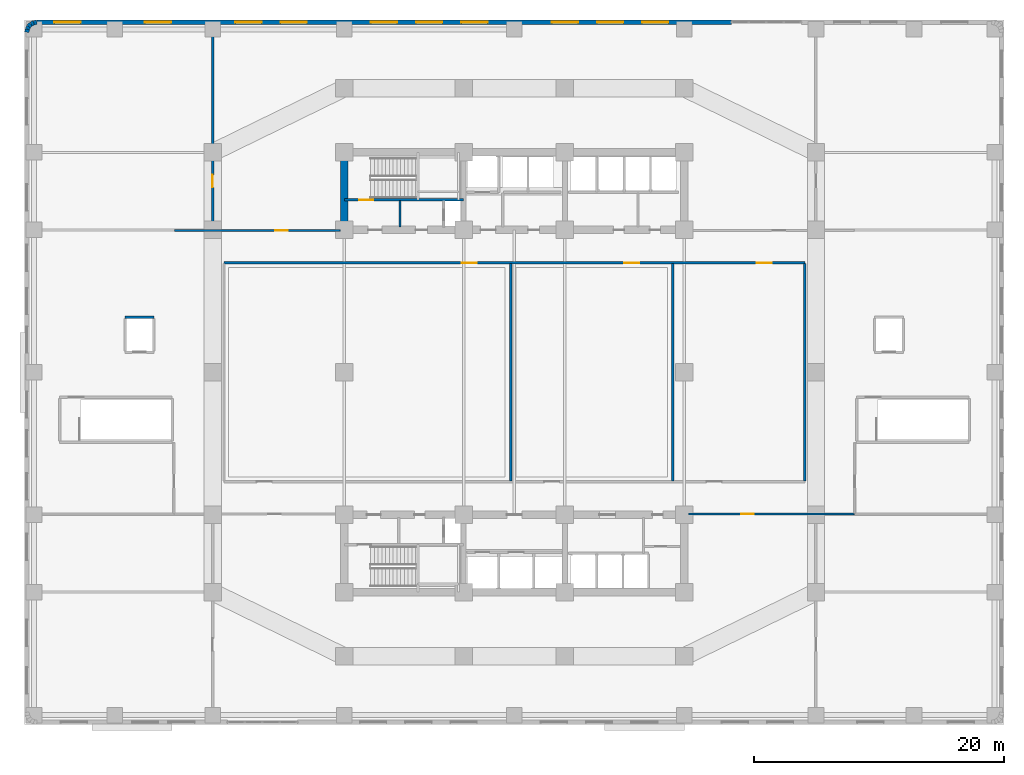
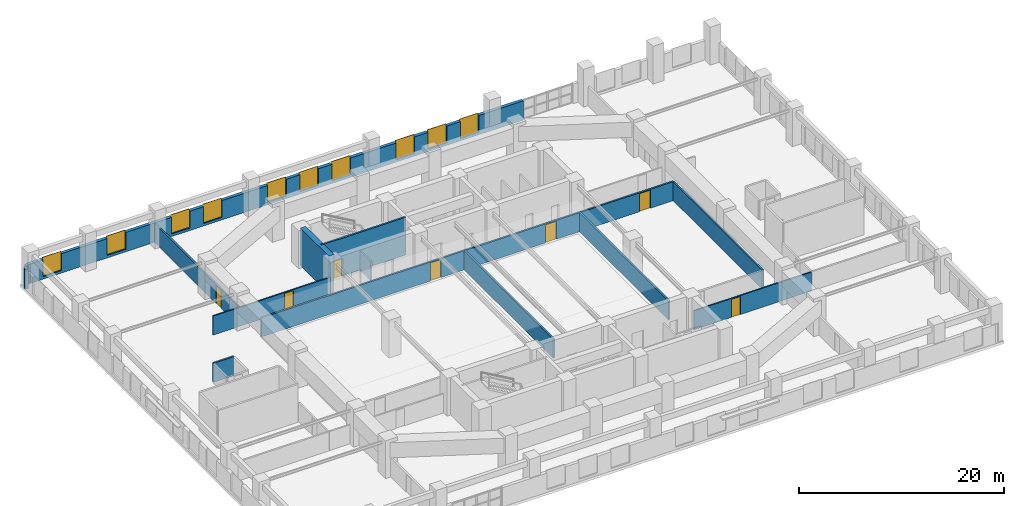
# One storey, part 8 of 13: 17 walls, 10 windows, 7 doors, 17 openings.
"""IFC4 building model written with IfcOpenShell, lengths in metres."""

from ifc_helpers import new_model, si_unit, direction, frame, frame_2d, origin, place, context, subcontext, project, spatial, rectangle, extrude, material, layer, layer_set, type_object, element, fill, save


model = new_model("IFC4")

# Units and contexts
model_context = context("Model", 3, precision=1e-05, world=origin(), true_north=direction((0.0, 1.0)))
body_context = subcontext(model_context, "Body", "Model", "MODEL_VIEW")
ifc_project = project(units=[si_unit("LENGTHUNIT", "METRE"), si_unit("AREAUNIT", "SQUARE_METRE"), si_unit("VOLUMEUNIT", "CUBIC_METRE"), si_unit("PLANEANGLEUNIT", "RADIAN"), si_unit("MASSUNIT", "GRAM", prefix="KILO")], contexts=[model_context])

# Site, building, storey
site_placement = place(None, origin())
site = spatial("IfcSite", under=ifc_project, at=site_placement, CompositionType="ELEMENT")
building_placement = place(site_placement, origin())
building = spatial("IfcBuilding", under=site, at=building_placement, Name="Svetorya Sky Lyceum", CompositionType="ELEMENT")
storey_placement = place(building_placement, frame((0.0, 0.0, 20.10009765625)))
storey = spatial("IfcBuildingStorey", under=building, at=storey_placement, Name="L04", CompositionType="ELEMENT", Elevation=20.10009765625)

# Wall
ifc_material_1 = material(Name="Concrete C60/75", Category="concrete")
ifc_layer_1 = layer(ifc_material_1, 0.60009765625)
ifc_layer_set_1 = layer_set([ifc_layer_1], Name="Concrete C60/75")
wall_type_1 = type_object("IfcWallType", Name="WL-CORE-600", PredefinedType="SHEAR", material=ifc_layer_set_1)
wall_1_placement = place(storey_placement, frame((25.60009765625, 39.89990234375, 0.0), z_axis=(0.0, 0.0, 1.0), x_axis=(0.0, 1.0, 0.0)))
element("IfcWall", 1, at=wall_1_placement, inside=storey, type_object=wall_type_1, Name="L04 NC West Core Shear Wall", PredefinedType="SHEAR", context=body_context, shape_type="SweptSolid", body=[
    extrude(rectangle(XDim=5.60009765625, YDim=0.60009765625, at=frame_2d((2.800048828125, 0.0))), origin(), (0.0, 0.0, 1.0), 4.5),
])

# Wall, openings, windows
ifc_material_2 = material(Name="Putilovo limestone rainscreen on autoclaved cellular masonry", Category="masonry")
ifc_layer_2 = layer(ifc_material_2, 0.360107421875)
ifc_layer_set_2 = layer_set([ifc_layer_2], Name="Putilovo limestone rainscreen on autoclaved cellular masonry")
wall_type_2 = type_object("IfcWallType", Name="WL-EXT-360", PredefinedType="SOLIDWALL", material=ifc_layer_set_2)
wall_2_placement = place(storey_placement, frame((56.570068359375, 56.219970703125, 0.0), z_axis=(0.0, 0.0, 1.0), x_axis=(-1.0, 0.0, 0.0)))
wall_2 = element("IfcWall", 2, at=wall_2_placement, inside=storey, type_object=wall_type_2, Name="L04 Limestone Exterior Wall 18B", PredefinedType="SOLIDWALL", context=body_context, shape_type="SweptSolid", body=[
    extrude(rectangle(XDim=55.590087890625, YDim=0.360107421875, at=frame_2d((27.794921875, 0.0))), origin(), (0.0, 0.0, 1.0), 2.2998046875),
])
opening_1_placement = place(wall_2_placement, frame((5.029052734375, 0.0, 0.300048828125)))
opening_1 = element("IfcOpeningElement", 3, at=opening_1_placement, cuts=wall_2, Name="Opening W-S3", PredefinedType="OPENING", context=body_context, shape_type="SweptSolid", body=[
    extrude(rectangle(XDim=2.10009765625, YDim=2.199951171875, at=frame_2d((1.050048828125, 1.10009765625))), frame((0.0, 0.18994140625, 0.0), z_axis=(0.0, -1.0, 0.0), x_axis=(1.0, 0.0, 0.0)), (0.0, 0.0, 1.0), 0.380126953125),
])
opening_2_placement = place(wall_2_placement, frame((8.648193359375, 0.0, 0.300048828125)))
opening_2 = element("IfcOpeningElement", 4, at=opening_2_placement, cuts=wall_2, Name="Opening W-S3", PredefinedType="OPENING", context=body_context, shape_type="SweptSolid", body=[
    extrude(rectangle(XDim=2.10009765625, YDim=2.199951171875, at=frame_2d((1.050048828125, 1.10009765625))), frame((0.0, 0.18994140625, 0.0), z_axis=(0.0, -1.0, 0.0), x_axis=(1.0, 0.0, 0.0)), (0.0, 0.0, 1.0), 0.380126953125),
])
opening_3_placement = place(wall_2_placement, frame((12.267578125, 0.0, 0.300048828125)))
opening_3 = element("IfcOpeningElement", 5, at=opening_3_placement, cuts=wall_2, Name="Opening W-S3", PredefinedType="OPENING", context=body_context, shape_type="SweptSolid", body=[
    extrude(rectangle(XDim=2.10009765625, YDim=2.199951171875, at=frame_2d((1.050048828125, 1.10009765625))), frame((0.0, 0.18994140625, 0.0), z_axis=(0.0, -1.0, 0.0), x_axis=(1.0, 0.0, 0.0)), (0.0, 0.0, 1.0), 0.380126953125),
])
opening_4_placement = place(wall_2_placement, frame((19.50634765625, 0.0, 0.300048828125)))
opening_4 = element("IfcOpeningElement", 6, at=opening_4_placement, cuts=wall_2, Name="Opening W-S3", PredefinedType="OPENING", context=body_context, shape_type="SweptSolid", body=[
    extrude(rectangle(XDim=2.10009765625, YDim=2.199951171875, at=frame_2d((1.050048828125, 1.10009765625))), frame((0.0, 0.18994140625, 0.0), z_axis=(0.0, -1.0, 0.0), x_axis=(1.0, 0.0, 0.0)), (0.0, 0.0, 1.0), 0.380126953125),
])
opening_5_placement = place(wall_2_placement, frame((23.125732421875, 0.0, 0.300048828125)))
opening_5 = element("IfcOpeningElement", 7, at=opening_5_placement, cuts=wall_2, Name="Opening W-S3", PredefinedType="OPENING", context=body_context, shape_type="SweptSolid", body=[
    extrude(rectangle(XDim=2.10009765625, YDim=2.199951171875, at=frame_2d((1.050048828125, 1.10009765625))), frame((0.0, 0.18994140625, 0.0), z_axis=(0.0, -1.0, 0.0), x_axis=(1.0, 0.0, 0.0)), (0.0, 0.0, 1.0), 0.380126953125),
])
opening_6_placement = place(wall_2_placement, frame((26.7451171875, 0.0, 0.300048828125)))
opening_6 = element("IfcOpeningElement", 8, at=opening_6_placement, cuts=wall_2, Name="Opening W-S3", PredefinedType="OPENING", context=body_context, shape_type="SweptSolid", body=[
    extrude(rectangle(XDim=2.10009765625, YDim=2.199951171875, at=frame_2d((1.050048828125, 1.10009765625))), frame((0.0, 0.18994140625, 0.0), z_axis=(0.0, -1.0, 0.0), x_axis=(1.0, 0.0, 0.0)), (0.0, 0.0, 1.0), 0.380126953125),
])
opening_7_placement = place(wall_2_placement, frame((33.983642578125, 0.0, 0.300048828125)))
opening_7 = element("IfcOpeningElement", 9, at=opening_7_placement, cuts=wall_2, Name="Opening W-S3", PredefinedType="OPENING", context=body_context, shape_type="SweptSolid", body=[
    extrude(rectangle(XDim=2.10009765625, YDim=2.199951171875, at=frame_2d((1.050048828125, 1.10009765625))), frame((0.0, 0.18994140625, 0.0), z_axis=(0.0, -1.0, 0.0), x_axis=(1.0, 0.0, 0.0)), (0.0, 0.0, 1.0), 0.380126953125),
])
opening_8_placement = place(wall_2_placement, frame((37.60302734375, 0.0, 0.300048828125)))
opening_8 = element("IfcOpeningElement", 10, at=opening_8_placement, cuts=wall_2, Name="Opening W-S3", PredefinedType="OPENING", context=body_context, shape_type="SweptSolid", body=[
    extrude(rectangle(XDim=2.10009765625, YDim=2.199951171875, at=frame_2d((1.050048828125, 1.10009765625))), frame((0.0, 0.18994140625, 0.0), z_axis=(0.0, -1.0, 0.0), x_axis=(1.0, 0.0, 0.0)), (0.0, 0.0, 1.0), 0.380126953125),
])
opening_9_placement = place(wall_2_placement, frame((44.841796875, 0.0, 0.300048828125)))
opening_9 = element("IfcOpeningElement", 11, at=opening_9_placement, cuts=wall_2, Name="Opening W-S3", PredefinedType="OPENING", context=body_context, shape_type="SweptSolid", body=[
    extrude(rectangle(XDim=2.10009765625, YDim=2.199951171875, at=frame_2d((1.050048828125, 1.10009765625))), frame((0.0, 0.18994140625, 0.0), z_axis=(0.0, -1.0, 0.0), x_axis=(1.0, 0.0, 0.0)), (0.0, 0.0, 1.0), 0.380126953125),
])
opening_10_placement = place(wall_2_placement, frame((52.080322265625, 0.0, 0.300048828125)))
opening_10 = element("IfcOpeningElement", 12, at=opening_10_placement, cuts=wall_2, Name="Opening W-S3", PredefinedType="OPENING", context=body_context, shape_type="SweptSolid", body=[
    extrude(rectangle(XDim=2.10009765625, YDim=2.199951171875, at=frame_2d((1.050048828125, 1.10009765625))), frame((0.0, 0.18994140625, 0.0), z_axis=(0.0, -1.0, 0.0), x_axis=(1.0, 0.0, 0.0)), (0.0, 0.0, 1.0), 0.380126953125),
])
ifc_material_3 = material(Name="Thermally broken aluminium frame with triple low-E glazing", Category="aluminium")
window_type = type_object("IfcWindowType", Name="WN-SCH-210", PartitioningType="TRIPLE_PANEL_VERTICAL", PredefinedType="WINDOW", material=ifc_material_3)
window_1_placement = place(opening_1_placement, origin())
window_1 = element("IfcWindow", 13, at=window_1_placement, inside=storey, type_object=window_type, Name="L04 Facade Window W-S3.18B.1", OverallHeight=2.199951171875, OverallWidth=2.10009765625, PartitioningType="SINGLE_PANEL", PredefinedType="WINDOW", context=body_context, shape_type="SweptSolid", body=[
    extrude(rectangle(XDim=2.10009765625, YDim=2.199951171875, at=frame_2d((1.050048828125, 1.10009765625))), frame((0.0, 0.030029296875, 0.0), z_axis=(0.0, -1.0, 0.0), x_axis=(1.0, 0.0, 0.0)), (0.0, 0.0, 1.0), 0.06005859375),
])
fill(opening_1, window_1)
window_2_placement = place(opening_2_placement, origin())
window_2 = element("IfcWindow", 14, at=window_2_placement, inside=storey, type_object=window_type, Name="L04 Facade Window W-S3.18B.2", OverallHeight=2.199951171875, OverallWidth=2.10009765625, PartitioningType="SINGLE_PANEL", PredefinedType="WINDOW", context=body_context, shape_type="SweptSolid", body=[
    extrude(rectangle(XDim=2.10009765625, YDim=2.199951171875, at=frame_2d((1.050048828125, 1.10009765625))), frame((0.0, 0.030029296875, 0.0), z_axis=(0.0, -1.0, 0.0), x_axis=(1.0, 0.0, 0.0)), (0.0, 0.0, 1.0), 0.06005859375),
])
fill(opening_2, window_2)
window_3_placement = place(opening_3_placement, origin())
window_3 = element("IfcWindow", 15, at=window_3_placement, inside=storey, type_object=window_type, Name="L04 Facade Window W-S3.18B.3", OverallHeight=2.199951171875, OverallWidth=2.10009765625, PartitioningType="SINGLE_PANEL", PredefinedType="WINDOW", context=body_context, shape_type="SweptSolid", body=[
    extrude(rectangle(XDim=2.10009765625, YDim=2.199951171875, at=frame_2d((1.050048828125, 1.10009765625))), frame((0.0, 0.030029296875, 0.0), z_axis=(0.0, -1.0, 0.0), x_axis=(1.0, 0.0, 0.0)), (0.0, 0.0, 1.0), 0.06005859375),
])
fill(opening_3, window_3)
window_4_placement = place(opening_4_placement, origin())
window_4 = element("IfcWindow", 16, at=window_4_placement, inside=storey, type_object=window_type, Name="L04 Facade Window W-S3.18B.4", OverallHeight=2.199951171875, OverallWidth=2.10009765625, PartitioningType="SINGLE_PANEL", PredefinedType="WINDOW", context=body_context, shape_type="SweptSolid", body=[
    extrude(rectangle(XDim=2.10009765625, YDim=2.199951171875, at=frame_2d((1.050048828125, 1.10009765625))), frame((0.0, 0.030029296875, 0.0), z_axis=(0.0, -1.0, 0.0), x_axis=(1.0, 0.0, 0.0)), (0.0, 0.0, 1.0), 0.06005859375),
])
fill(opening_4, window_4)
window_5_placement = place(opening_5_placement, origin())
window_5 = element("IfcWindow", 17, at=window_5_placement, inside=storey, type_object=window_type, Name="L04 Facade Window W-S3.18B.5", OverallHeight=2.199951171875, OverallWidth=2.10009765625, PartitioningType="SINGLE_PANEL", PredefinedType="WINDOW", context=body_context, shape_type="SweptSolid", body=[
    extrude(rectangle(XDim=2.10009765625, YDim=2.199951171875, at=frame_2d((1.050048828125, 1.10009765625))), frame((0.0, 0.030029296875, 0.0), z_axis=(0.0, -1.0, 0.0), x_axis=(1.0, 0.0, 0.0)), (0.0, 0.0, 1.0), 0.06005859375),
])
fill(opening_5, window_5)
window_6_placement = place(opening_6_placement, origin())
window_6 = element("IfcWindow", 18, at=window_6_placement, inside=storey, type_object=window_type, Name="L04 Facade Window W-S3.18B.6", OverallHeight=2.199951171875, OverallWidth=2.10009765625, PartitioningType="SINGLE_PANEL", PredefinedType="WINDOW", context=body_context, shape_type="SweptSolid", body=[
    extrude(rectangle(XDim=2.10009765625, YDim=2.199951171875, at=frame_2d((1.050048828125, 1.10009765625))), frame((0.0, 0.030029296875, 0.0), z_axis=(0.0, -1.0, 0.0), x_axis=(1.0, 0.0, 0.0)), (0.0, 0.0, 1.0), 0.06005859375),
])
fill(opening_6, window_6)
window_7_placement = place(opening_7_placement, origin())
window_7 = element("IfcWindow", 19, at=window_7_placement, inside=storey, type_object=window_type, Name="L04 Facade Window W-S3.18B.7", OverallHeight=2.199951171875, OverallWidth=2.10009765625, PartitioningType="SINGLE_PANEL", PredefinedType="WINDOW", context=body_context, shape_type="SweptSolid", body=[
    extrude(rectangle(XDim=2.10009765625, YDim=2.199951171875, at=frame_2d((1.050048828125, 1.10009765625))), frame((0.0, 0.030029296875, 0.0), z_axis=(0.0, -1.0, 0.0), x_axis=(1.0, 0.0, 0.0)), (0.0, 0.0, 1.0), 0.06005859375),
])
fill(opening_7, window_7)
window_8_placement = place(opening_8_placement, origin())
window_8 = element("IfcWindow", 20, at=window_8_placement, inside=storey, type_object=window_type, Name="L04 Facade Window W-S3.18B.8", OverallHeight=2.199951171875, OverallWidth=2.10009765625, PartitioningType="SINGLE_PANEL", PredefinedType="WINDOW", context=body_context, shape_type="SweptSolid", body=[
    extrude(rectangle(XDim=2.10009765625, YDim=2.199951171875, at=frame_2d((1.050048828125, 1.10009765625))), frame((0.0, 0.030029296875, 0.0), z_axis=(0.0, -1.0, 0.0), x_axis=(1.0, 0.0, 0.0)), (0.0, 0.0, 1.0), 0.06005859375),
])
fill(opening_8, window_8)
window_9_placement = place(opening_9_placement, origin())
window_9 = element("IfcWindow", 21, at=window_9_placement, inside=storey, type_object=window_type, Name="L04 Facade Window W-S3.18B.9", OverallHeight=2.199951171875, OverallWidth=2.10009765625, PartitioningType="SINGLE_PANEL", PredefinedType="WINDOW", context=body_context, shape_type="SweptSolid", body=[
    extrude(rectangle(XDim=2.10009765625, YDim=2.199951171875, at=frame_2d((1.050048828125, 1.10009765625))), frame((0.0, 0.030029296875, 0.0), z_axis=(0.0, -1.0, 0.0), x_axis=(1.0, 0.0, 0.0)), (0.0, 0.0, 1.0), 0.06005859375),
])
fill(opening_9, window_9)
window_10_placement = place(opening_10_placement, origin())
window_10 = element("IfcWindow", 22, at=window_10_placement, inside=storey, type_object=window_type, Name="L04 Facade Window W-S3.18B.10", OverallHeight=2.199951171875, OverallWidth=2.10009765625, PartitioningType="SINGLE_PANEL", PredefinedType="WINDOW", context=body_context, shape_type="SweptSolid", body=[
    extrude(rectangle(XDim=2.10009765625, YDim=2.199951171875, at=frame_2d((1.050048828125, 1.10009765625))), frame((0.0, 0.030029296875, 0.0), z_axis=(0.0, -1.0, 0.0), x_axis=(1.0, 0.0, 0.0)), (0.0, 0.0, 1.0), 0.06005859375),
])
fill(opening_10, window_10)

# Walls
wall_3_placement = place(storey_placement, frame((0.97998046875, 56.219970703125, 0.0), z_axis=(0.0, 0.0, 1.0), x_axis=(-0.987731290312, -0.156163049852, 0.0)))
element("IfcWall", 23, at=wall_3_placement, inside=storey, type_object=wall_type_2, Name="L04 Limestone Exterior Wall 19M", PredefinedType="SOLIDWALL", context=body_context, shape_type="SweptSolid", body=[
    extrude(rectangle(XDim=0.250244140625, YDim=0.360107421875, at=frame_2d((0.125, 0.0))), origin(), (0.0, 0.0, 1.0), 2.2998046875),
])
wall_4_placement = place(storey_placement, frame((0.73291015625, 56.180908203125, 0.0), z_axis=(0.0, 0.0, 1.0), x_axis=(-0.89089067942, -0.454217786225, 0.0)))
element("IfcWall", 24, at=wall_4_placement, inside=storey, type_object=wall_type_2, Name="L04 Limestone Exterior Wall 20M", PredefinedType="SOLIDWALL", context=body_context, shape_type="SweptSolid", body=[
    extrude(rectangle(XDim=0.25048828125, YDim=0.360107421875, at=frame_2d((0.125244140625, 0.0))), origin(), (0.0, 0.0, 1.0), 2.2998046875),
])
for number, where, z_axis, x_axis, name in (
    (25, (0.509765625, 56.067138671875, 0.0), (0.0, 0.0, 1.0), (-0.707106781187, -0.707106781187, 0.0), "L04 Limestone Exterior Wall 21M"),
    (26, (0.332763671875, 55.89013671875, 0.0), (0.0, 0.0, 1.0), (-0.453838055457, -0.891084182005, 0.0), "L04 Limestone Exterior Wall 22M"),
):
    element("IfcWall", number, at=place(storey_placement, frame(where, z_axis=z_axis, x_axis=x_axis)), inside=storey, type_object=wall_type_2, Name=name, PredefinedType="SOLIDWALL", context=body_context, shape_type="SweptSolid", body=[
        extrude(rectangle(XDim=0.250244140625, YDim=0.360107421875, at=frame_2d((0.125, 0.0))), origin(), (0.0, 0.0, 1.0), 2.2998046875),
    ])
wall_5_placement = place(storey_placement, frame((0.21923828125, 55.667236328125, 0.0), z_axis=(0.0, 0.0, 1.0), x_axis=(-0.156963773077, -0.987604361038, 0.0)))
element("IfcWall", 27, at=wall_5_placement, inside=storey, type_object=wall_type_2, Name="L04 Limestone Exterior Wall 23M", PredefinedType="SOLIDWALL", context=body_context, shape_type="SweptSolid", body=[
    extrude(rectangle(XDim=0.25048828125, YDim=0.360107421875, at=frame_2d((0.125244140625, 0.0))), origin(), (0.0, 0.0, 1.0), 2.2998046875),
])

# Wall, opening, door
ifc_material_4 = material(Name="Autoclaved cellular masonry blockwork with acoustic render", Category="masonry")
ifc_layer_3 = layer(ifc_material_4, 0.14990234375)
ifc_layer_set_3 = layer_set([ifc_layer_3], Name="Autoclaved cellular masonry blockwork with acoustic render")
wall_type_3 = type_object("IfcWallType", Name="WL-PART-150", PredefinedType="PARTITIONING", material=ifc_layer_set_3)
wall_6_placement = place(storey_placement, frame((53.14990234375, 16.85009765625, 0.0), z_axis=(0.0, 0.0, 1.0), x_axis=(1.0, 0.0, 0.0)))
wall_6 = element("IfcWall", 28, at=wall_6_placement, inside=storey, type_object=wall_type_3, Name="L04 Interior Partition SE-CORR", PredefinedType="PARTITIONING", context=body_context, shape_type="SweptSolid", body=[
    extrude(rectangle(XDim=13.25, YDim=0.14990234375, at=frame_2d((6.625, 0.0))), origin(), (0.0, 0.0, 1.0), 2.260009765625),
])
opening_11_placement = place(wall_6_placement, frame((4.199951171875, 0.0, 0.0)))
opening_11 = element("IfcOpeningElement", 29, at=opening_11_placement, cuts=wall_6, Name="Opening D-RM2", PredefinedType="OPENING", context=body_context, shape_type="SweptSolid", body=[
    extrude(rectangle(XDim=1.0, YDim=2.14990234375, at=frame_2d((0.5, 1.074951171875))), frame((0.0, 0.0849609375, 0.0), z_axis=(0.0, -1.0, 0.0), x_axis=(1.0, 0.0, 0.0)), (0.0, 0.0, 1.0), 0.169921875),
])
ifc_material_5 = material(Name="Solid-core oak acoustic room door")
door_type_1 = type_object("IfcDoorType", Name="DR-INT-1000", OperationType="SINGLE_SWING_LEFT", PredefinedType="DOOR", material=ifc_material_5)
door_1_placement = place(opening_11_placement, origin())
door_1 = element("IfcDoor", 30, at=door_1_placement, inside=storey, type_object=door_type_1, Name="L04 Classroom SE1 Door", OperationType="SINGLE_SWING_RIGHT", OverallHeight=2.14990234375, OverallWidth=1.0, PredefinedType="DOOR", context=body_context, shape_type="SweptSolid", body=[
    extrude(rectangle(XDim=1.0, YDim=2.14990234375, at=frame_2d((0.5, 1.074951171875))), frame((0.0, 0.02490234375, 0.0), z_axis=(0.0, -1.0, 0.0), x_axis=(1.0, 0.0, 0.0)), (0.0, 0.0, 1.0), 0.050048828125),
])
fill(opening_11, door_1)

wall_7_placement = place(storey_placement, frame((25.25, 39.550048828125, 0.0), z_axis=(0.0, 0.0, 1.0), x_axis=(-1.0, 0.0, 0.0)))
wall_7 = element("IfcWall", 31, at=wall_7_placement, inside=storey, type_object=wall_type_3, Name="L04 Interior Partition NW-CORR", PredefinedType="PARTITIONING", context=body_context, shape_type="SweptSolid", body=[
    extrude(rectangle(XDim=13.25, YDim=0.14990234375, at=frame_2d((6.625, 0.0))), origin(), (0.0, 0.0, 1.0), 2.260009765625),
])
opening_12_placement = place(wall_7_placement, frame((4.199951171875, 0.0, 0.0)))
opening_12 = element("IfcOpeningElement", 32, at=opening_12_placement, cuts=wall_7, Name="Opening D-RM2", PredefinedType="OPENING", context=body_context, shape_type="SweptSolid", body=[
    extrude(rectangle(XDim=1.0, YDim=2.14990234375, at=frame_2d((0.5, 1.074951171875))), frame((0.0, 0.0849609375, 0.0), z_axis=(0.0, -1.0, 0.0), x_axis=(1.0, 0.0, 0.0)), (0.0, 0.0, 1.0), 0.169921875),
])
door_2_placement = place(opening_12_placement, origin())
door_2 = element("IfcDoor", 33, at=door_2_placement, inside=storey, type_object=door_type_1, Name="L04 Classroom NW2 Door", OperationType="SINGLE_SWING_RIGHT", OverallHeight=2.14990234375, OverallWidth=1.0, PredefinedType="DOOR", context=body_context, shape_type="SweptSolid", body=[
    extrude(rectangle(XDim=1.0, YDim=2.14990234375, at=frame_2d((0.5, 1.074951171875))), frame((0.0, 0.02490234375, 0.0), z_axis=(0.0, -1.0, 0.0), x_axis=(1.0, 0.0, 0.0)), (0.0, 0.0, 1.0), 0.050048828125),
])
fill(opening_12, door_2)

# Walls
ifc_material_6 = material(Name="Autoclaved cellular masonry blockwork with fire render", Category="masonry")
ifc_layer_4 = layer(ifc_material_6, 0.175048828125)
ifc_layer_set_4 = layer_set([ifc_layer_4], Name="Autoclaved cellular masonry blockwork with fire render")
wall_type_4 = type_object("IfcWallType", Name="WL-PART-175", PredefinedType="PARTITIONING", material=ifc_layer_set_4)
wall_8_placement = place(storey_placement, frame((30.050048828125, 39.820068359375, 0.0), z_axis=(0.0, 0.0, 1.0), x_axis=(0.0, 1.0, 0.0)))
element("IfcWall", 34, at=wall_8_placement, inside=storey, type_object=wall_type_4, Name="L04 Interior Partition NC-NWD1", PredefinedType="PARTITIONING", context=body_context, shape_type="SweptSolid", body=[
    extrude(rectangle(XDim=2.1298828125, YDim=0.175048828125, at=frame_2d((1.06494140625, 0.0))), origin(), (0.0, 0.0, 1.0), 2.260009765625),
])
wall_9_placement = place(storey_placement, frame((62.449951171875, 19.5, 0.0), z_axis=(0.0, 0.0, 1.0), x_axis=(0.0, 1.0, 0.0)))
element("IfcWall", 35, at=wall_9_placement, inside=storey, type_object=wall_type_4, Name="L04 Interior Partition CEN-E", PredefinedType="PARTITIONING", context=body_context, shape_type="SweptSolid", body=[
    extrude(rectangle(XDim=17.39990234375, YDim=0.175048828125, at=frame_2d((8.699951171875, 0.0))), origin(), (0.0, 0.0, 1.0), 2.260009765625),
])
ifc_material_7 = material(Name="Autoclaved cellular masonry blockwork with gypsum plaster", Category="masonry")
ifc_layer_5 = layer(ifc_material_7, 0.199951171875)
ifc_layer_set_5 = layer_set([ifc_layer_5], Name="Autoclaved cellular masonry blockwork with gypsum plaster")
wall_type_5 = type_object("IfcWallType", Name="WL-PART-200", PredefinedType="PARTITIONING", material=ifc_layer_set_5)
wall_10_placement = place(storey_placement, frame((8.050048828125, 32.60009765625, 0.0), z_axis=(0.0, 0.0, 1.0), x_axis=(1.0, 0.0, 0.0)))
element("IfcWall", 36, at=wall_10_placement, inside=storey, type_object=wall_type_5, Name="L04 Interior Partition SHL-N-SCHL1", PredefinedType="PARTITIONING", context=body_context, shape_type="SweptSolid", body=[
    extrude(rectangle(XDim=2.300048828125, YDim=0.199951171875, at=frame_2d((1.14990234375, 0.0))), origin(), (0.0, 0.0, 1.0), 2.260009765625),
])
for number, where, z_axis, x_axis, name in (
    (37, (38.89990234375, 19.5, 0.0), (0.0, 0.0, 1.0), (0.0, 1.0, 0.0), "L04 Interior Partition CEN-DIV-1"),
    (38, (51.89990234375, 19.5, 0.0), (0.0, 0.0, 1.0), (0.0, 1.0, 0.0), "L04 Interior Partition CEN-DIV-2"),
):
    element("IfcWall", number, at=place(storey_placement, frame(where, z_axis=z_axis, x_axis=x_axis)), inside=storey, type_object=wall_type_5, Name=name, PredefinedType="PARTITIONING", context=body_context, shape_type="SweptSolid", body=[
        extrude(rectangle(XDim=17.39990234375, YDim=0.199951171875, at=frame_2d((8.699951171875, 0.0))), origin(), (0.0, 0.0, 1.0), 2.260009765625),
    ])

# Wall, openings, doors
wall_11_placement = place(storey_placement, frame((62.449951171875, 36.949951171875, 0.0), z_axis=(0.0, 0.0, 1.0), x_axis=(-1.0, 0.0, 0.0)))
wall_11 = element("IfcWall", 39, at=wall_11_placement, inside=storey, type_object=wall_type_5, Name="L04 Interior Partition CEN-N", PredefinedType="PARTITIONING", context=body_context, shape_type="SweptSolid", body=[
    extrude(rectangle(XDim=46.5, YDim=0.199951171875, at=frame_2d((23.25, 0.0))), origin(), (0.0, 0.0, 1.0), 2.260009765625),
])
opening_13_placement = place(wall_11_placement, frame((26.25, 0.0, 0.0)))
opening_13 = element("IfcOpeningElement", 40, at=opening_13_placement, cuts=wall_11, Name="Opening D-SC1", PredefinedType="OPENING", context=body_context, shape_type="SweptSolid", body=[
    extrude(rectangle(XDim=1.199951171875, YDim=2.14990234375, at=frame_2d((0.60009765625, 1.074951171875))), frame((0.0, 0.10986328125, 0.0), z_axis=(0.0, -1.0, 0.0), x_axis=(1.0, 0.0, 0.0)), (0.0, 0.0, 1.0), 0.219970703125),
])
opening_14_placement = place(wall_11_placement, frame((13.25, 0.0, 0.0)))
opening_14 = element("IfcOpeningElement", 41, at=opening_14_placement, cuts=wall_11, Name="Opening D-SC1", PredefinedType="OPENING", context=body_context, shape_type="SweptSolid", body=[
    extrude(rectangle(XDim=1.199951171875, YDim=2.14990234375, at=frame_2d((0.60009765625, 1.074951171875))), frame((0.0, 0.10986328125, 0.0), z_axis=(0.0, -1.0, 0.0), x_axis=(1.0, 0.0, 0.0)), (0.0, 0.0, 1.0), 0.219970703125),
])
opening_15_placement = place(wall_11_placement, frame((2.64990234375, 0.0, 0.0)))
opening_15 = element("IfcOpeningElement", 42, at=opening_15_placement, cuts=wall_11, Name="Opening D-SC1", PredefinedType="OPENING", context=body_context, shape_type="SweptSolid", body=[
    extrude(rectangle(XDim=1.199951171875, YDim=2.14990234375, at=frame_2d((0.60009765625, 1.074951171875))), frame((0.0, 0.10986328125, 0.0), z_axis=(0.0, -1.0, 0.0), x_axis=(1.0, 0.0, 0.0)), (0.0, 0.0, 1.0), 0.219970703125),
])
ifc_material_8 = material(Name="Acoustic solid-core birch classroom door")
door_type_2 = type_object("IfcDoorType", Name="DR-SCH-1200", OperationType="SINGLE_SWING_LEFT", PredefinedType="DOOR", material=ifc_material_8)
door_3_placement = place(opening_13_placement, origin())
door_3 = element("IfcDoor", 43, at=door_3_placement, inside=storey, type_object=door_type_2, Name="L04 Library and Reading Hall North Door", OperationType="SINGLE_SWING_RIGHT", OverallHeight=2.14990234375, OverallWidth=1.199951171875, PredefinedType="DOOR", context=body_context, shape_type="SweptSolid", body=[
    extrude(rectangle(XDim=1.199951171875, YDim=2.14990234375, at=frame_2d((0.60009765625, 1.074951171875))), frame((0.0, 0.02490234375, 0.0), z_axis=(0.0, -1.0, 0.0), x_axis=(1.0, 0.0, 0.0)), (0.0, 0.0, 1.0), 0.050048828125),
])
fill(opening_13, door_3)
door_4_placement = place(opening_14_placement, origin())
door_4 = element("IfcDoor", 44, at=door_4_placement, inside=storey, type_object=door_type_2, Name="L04 Workshop Astronomy Media North Door", OperationType="SINGLE_SWING_LEFT", OverallHeight=2.14990234375, OverallWidth=1.199951171875, PredefinedType="DOOR", context=body_context, shape_type="SweptSolid", body=[
    extrude(rectangle(XDim=1.199951171875, YDim=2.14990234375, at=frame_2d((0.60009765625, 1.074951171875))), frame((0.0, 0.02490234375, 0.0), z_axis=(0.0, -1.0, 0.0), x_axis=(1.0, 0.0, 0.0)), (0.0, 0.0, 1.0), 0.050048828125),
])
fill(opening_14, door_4)
door_5_placement = place(opening_15_placement, origin())
door_5 = element("IfcDoor", 45, at=door_5_placement, inside=storey, type_object=door_type_2, Name="L04 Mechanical Plant Room Lyceum AHU North Door", OperationType="SINGLE_SWING_RIGHT", OverallHeight=2.14990234375, OverallWidth=1.199951171875, PredefinedType="DOOR", context=body_context, shape_type="SweptSolid", body=[
    extrude(rectangle(XDim=1.199951171875, YDim=2.14990234375, at=frame_2d((0.60009765625, 1.074951171875))), frame((0.0, 0.02490234375, 0.0), z_axis=(0.0, -1.0, 0.0), x_axis=(1.0, 0.0, 0.0)), (0.0, 0.0, 1.0), 0.050048828125),
])
fill(opening_15, door_5)

# Wall, opening, door
wall_12_placement = place(storey_placement, frame((15.050048828125, 39.60009765625, 0.0), z_axis=(0.0, 0.0, 1.0), x_axis=(0.0, 1.0, 0.0)))
wall_12 = element("IfcWall", 46, at=wall_12_placement, inside=storey, type_object=wall_type_5, Name="L04 Interior Partition NW-DIV", PredefinedType="PARTITIONING", context=body_context, shape_type="SweptSolid", body=[
    extrude(rectangle(XDim=16.39990234375, YDim=0.199951171875, at=frame_2d((8.199951171875, 0.0))), origin(), (0.0, 0.0, 1.0), 2.260009765625),
])
opening_16_placement = place(wall_12_placement, frame((3.39990234375, 0.0, 0.0)))
opening_16 = element("IfcOpeningElement", 47, at=opening_16_placement, cuts=wall_12, Name="Opening D-RM2", PredefinedType="OPENING", context=body_context, shape_type="SweptSolid", body=[
    extrude(rectangle(XDim=1.0, YDim=2.14990234375, at=frame_2d((0.5, 1.074951171875))), frame((0.0, 0.10986328125, 0.0), z_axis=(0.0, -1.0, 0.0), x_axis=(1.0, 0.0, 0.0)), (0.0, 0.0, 1.0), 0.219970703125),
])
door_6_placement = place(opening_16_placement, origin())
door_6 = element("IfcDoor", 48, at=door_6_placement, inside=storey, type_object=door_type_1, Name="L04 Seminar Room Door", OperationType="SINGLE_SWING_LEFT", OverallHeight=2.14990234375, OverallWidth=1.0, PredefinedType="DOOR", context=body_context, shape_type="SweptSolid", body=[
    extrude(rectangle(XDim=1.0, YDim=2.14990234375, at=frame_2d((0.5, 1.074951171875))), frame((0.0, 0.02490234375, 0.0), z_axis=(0.0, -1.0, 0.0), x_axis=(1.0, 0.0, 0.0)), (0.0, 0.0, 1.0), 0.050048828125),
])
fill(opening_16, door_6)

ifc_material_9 = material(Name="Concrete C50/60", Category="concrete")
ifc_layer_6 = layer(ifc_material_9, 0.199951171875)
ifc_layer_set_6 = layer_set([ifc_layer_6], Name="Concrete C50/60")
wall_type_6 = type_object("IfcWallType", Name="WL-SHW-200", PredefinedType="SHEAR", material=ifc_layer_set_6)
wall_13_placement = place(storey_placement, frame((35.14990234375, 42.0, 0.0), z_axis=(0.0, 0.0, 1.0), x_axis=(-1.0, 0.0, 0.0)))
wall_13 = element("IfcWall", 49, at=wall_13_placement, inside=storey, type_object=wall_type_6, Name="L04 Structural Stair Shaft Wall NC-STW", PredefinedType="SHEAR", context=body_context, shape_type="SweptSolid", body=[
    extrude(rectangle(XDim=9.5498046875, YDim=0.199951171875, at=frame_2d((4.77490234375, 0.0))), origin(), (0.0, 0.0, 1.0), 4.5),
])
opening_17_placement = place(wall_13_placement, frame((7.25, 0.0, 0.0)))
opening_17 = element("IfcOpeningElement", 50, at=opening_17_placement, cuts=wall_13, Name="Opening D-ST1", PredefinedType="OPENING", context=body_context, shape_type="SweptSolid", body=[
    extrude(rectangle(XDim=1.10009765625, YDim=2.14990234375, at=frame_2d((0.550048828125, 1.074951171875))), frame((0.0, 0.10986328125, 0.0), z_axis=(0.0, -1.0, 0.0), x_axis=(1.0, 0.0, 0.0)), (0.0, 0.0, 1.0), 0.219970703125),
])
ifc_material_10 = material(Name="Powder-coated insulated galvanized stair fire door")
door_type_3 = type_object("IfcDoorType", Name="DR-FIRE-1100", OperationType="SINGLE_SWING_LEFT", PredefinedType="DOOR", material=ifc_material_10)
door_7_placement = place(opening_17_placement, origin())
door_7 = element("IfcDoor", 51, at=door_7_placement, inside=storey, type_object=door_type_3, Name="L04 Stair ST-N Vestibule Fire Door", OperationType="SINGLE_SWING_RIGHT", OverallHeight=2.14990234375, OverallWidth=1.10009765625, PredefinedType="DOOR", context=body_context, shape_type="SweptSolid", body=[
    extrude(rectangle(XDim=1.10009765625, YDim=2.14990234375, at=frame_2d((0.550048828125, 1.074951171875))), frame((0.0, 0.02490234375, 0.0), z_axis=(0.0, -1.0, 0.0), x_axis=(1.0, 0.0, 0.0)), (0.0, 0.0, 1.0), 0.050048828125),
])
fill(opening_17, door_7)

save(model, "model.ifc")
